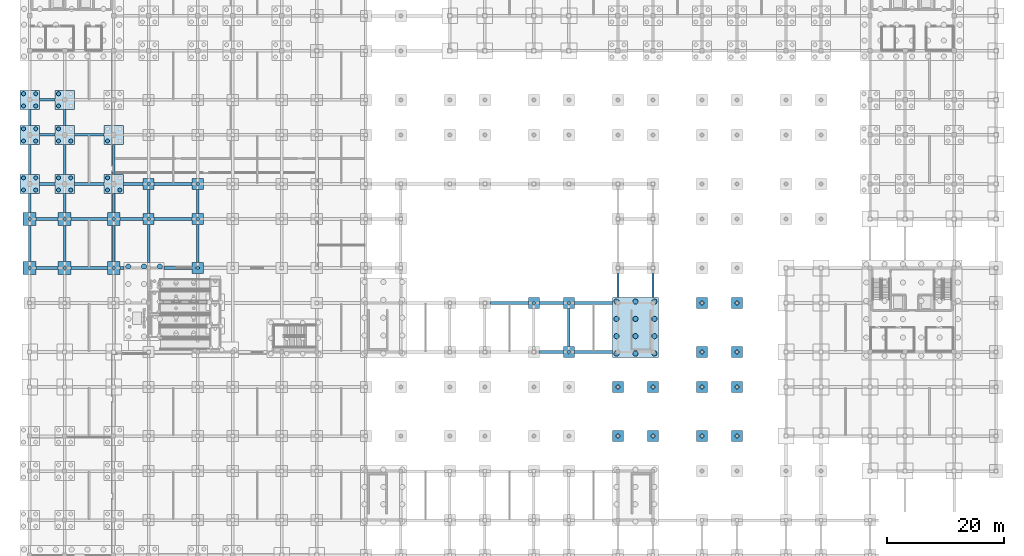
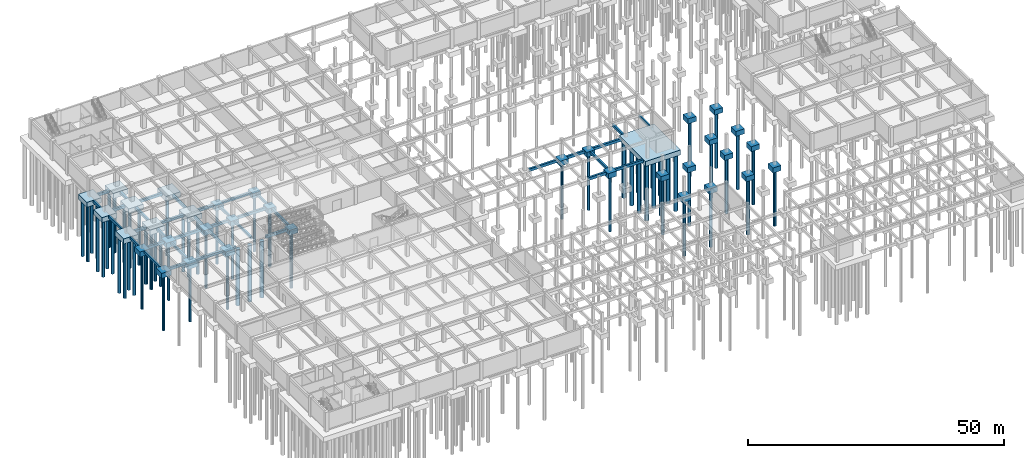
# One storey, part 6 of 40: 73 footings, 66 piles.
"""IFC4 building model written with IfcOpenShell, lengths in metres."""

from ifc_helpers import new_model, si_unit, direction, frame, origin, origin_2d, place, context, subcontext, project, spatial, rectangle, circle, extrude, material, material_profile, profile_set, type_object, element, save


model = new_model("IFC4")

# Units and contexts
model_context = context("Model", 3, precision=1e-05, world=origin(), true_north=direction((0.0, 1.0)))
body_context = subcontext(model_context, "Body", "Model", "MODEL_VIEW")
ifc_project = project(units=[si_unit("LENGTHUNIT", "METRE"), si_unit("AREAUNIT", "SQUARE_METRE"), si_unit("VOLUMEUNIT", "CUBIC_METRE"), si_unit("PLANEANGLEUNIT", "RADIAN"), si_unit("MASSUNIT", "GRAM", prefix="KILO"), si_unit("THERMODYNAMICTEMPERATUREUNIT", "KELVIN")], contexts=[model_context])

# Site, building, storey
site_placement = place(None, origin())
site = spatial("IfcSite", under=ifc_project, at=site_placement, CompositionType="ELEMENT")
building_placement = place(site_placement, origin())
building = spatial("IfcBuilding", under=site, at=building_placement, Name="Thalorik Housing Commons", CompositionType="ELEMENT")
storey_placement = place(building_placement, frame((0.0, 0.0, -4.199951171875)))
storey = spatial("IfcBuildingStorey", under=building, at=storey_placement, Name="B1", CompositionType="ELEMENT", Elevation=-4.199951171875)

# Footings
ifc_material = material(Name="Concrete C40/50", Category="concrete")
footing_type_1 = type_object("IfcFootingType", Name="STR-CAP-1900x1900", PredefinedType="PILE_CAP", material=ifc_material)
for number, where, z_axis, x_axis, name in (
    (1, (100.800048828125, 57.60009765625, -1.64990234375), (0.0, 0.0, 1.0), (1.0, 0.0, 0.0), "B1 Pile Cap 139"),
    (2, (94.800048828125, 66.0, -1.64990234375), (0.0, 0.0, 1.0), (1.0, 0.0, 0.0), "B1 Pile Cap 155"),
    (3, (100.800048828125, 66.0, -1.64990234375), (0.0, 0.0, 1.0), (1.0, 0.0, 0.0), "B1 Pile Cap 156"),
    (4, (37.199951171875, 72.0, -1.64990234375), (0.0, 0.0, 1.0), (1.0, 0.0, 0.0), "B1 Pile Cap 164"),
    (5, (28.800048828125, 80.39990234375, -1.64990234375), (0.0, 0.0, 1.0), (1.0, 0.0, 0.0), "B1 Pile Cap 179"),
    (6, (37.199951171875, 80.39990234375, -1.64990234375), (0.0, 0.0, 1.0), (1.0, 0.0, 0.0), "B1 Pile Cap 180"),
    (7, (28.800048828125, 86.39990234375, -1.64990234375), (0.0, 0.0, 1.0), (1.0, 0.0, 0.0), "B1 Pile Cap 195"),
    (8, (37.199951171875, 86.39990234375, -1.64990234375), (0.0, 0.0, 1.0), (1.0, 0.0, 0.0), "B1 Pile Cap 196"),
    (9, (109.199951171875, 43.199951171875, -1.64990234375), (0.0, 0.0, 1.0), (1.0, 0.0, 0.0), "B1 Plaza Pile Cap 24"),
    (10, (109.199951171875, 51.60009765625, -1.64990234375), (0.0, 0.0, 1.0), (1.0, 0.0, 0.0), "B1 Plaza Pile Cap 25"),
    (11, (115.199951171875, 43.199951171875, -1.64990234375), (0.0, 0.0, 1.0), (1.0, 0.0, 0.0), "B1 Plaza Pile Cap 29"),
    (12, (115.199951171875, 51.60009765625, -1.64990234375), (0.0, 0.0, 1.0), (1.0, 0.0, 0.0), "B1 Plaza Pile Cap 30"),
    (13, (123.60009765625, 43.199951171875, -1.64990234375), (0.0, 0.0, 1.0), (1.0, 0.0, 0.0), "B1 Plaza Pile Cap 34"),
    (14, (123.60009765625, 51.60009765625, -1.64990234375), (0.0, 0.0, 1.0), (1.0, 0.0, 0.0), "B1 Plaza Pile Cap 35"),
    (15, (123.60009765625, 57.60009765625, -1.64990234375), (0.0, 0.0, 1.0), (1.0, 0.0, 0.0), "B1 Plaza Pile Cap 36"),
    (16, (123.60009765625, 66.0, -1.64990234375), (0.0, 0.0, 1.0), (1.0, 0.0, 0.0), "B1 Plaza Pile Cap 37"),
    (17, (129.60009765625, 43.199951171875, -1.64990234375), (0.0, 0.0, 1.0), (1.0, 0.0, 0.0), "B1 Plaza Pile Cap 44"),
    (18, (129.60009765625, 51.60009765625, -1.64990234375), (0.0, 0.0, 1.0), (1.0, 0.0, 0.0), "B1 Plaza Pile Cap 45"),
    (19, (129.60009765625, 57.60009765625, -1.64990234375), (0.0, 0.0, 1.0), (1.0, 0.0, 0.0), "B1 Plaza Pile Cap 46"),
    (20, (129.60009765625, 66.0, -1.64990234375), (0.0, 0.0, 1.0), (1.0, 0.0, 0.0), "B1 Plaza Pile Cap 47"),
):
    element("IfcFooting", number, at=place(storey_placement, frame(where, z_axis=z_axis, x_axis=x_axis)), inside=storey, type_object=footing_type_1, Name=name, PredefinedType="PILE_CAP", context=body_context, shape_type="SweptSolid", body=[
        extrude(rectangle(XDim=1.89990234375, YDim=1.89990234375, at=origin_2d()), origin(), (0.0, 0.0, 1.0), 1.199951171875),
    ])
footing_type_2 = type_object("IfcFootingType", Name="STR-CAP-2200x2200", PredefinedType="PILE_CAP", material=ifc_material)
for number, where, z_axis, x_axis, name in (
    (21, (8.39990234375, 72.0, -1.64990234375), (0.0, 0.0, 1.0), (1.0, 0.0, 0.0), "B1 Pile Cap 160"),
    (22, (14.39990234375, 72.0, -1.64990234375), (0.0, 0.0, 1.0), (1.0, 0.0, 0.0), "B1 Pile Cap 161"),
    (23, (22.800048828125, 72.0, -1.64990234375), (0.0, 0.0, 1.0), (1.0, 0.0, 0.0), "B1 Pile Cap 162"),
    (24, (8.39990234375, 80.39990234375, -1.64990234375), (0.0, 0.0, 1.0), (1.0, 0.0, 0.0), "B1 Pile Cap 176"),
    (25, (14.39990234375, 80.39990234375, -1.64990234375), (0.0, 0.0, 1.0), (1.0, 0.0, 0.0), "B1 Pile Cap 177"),
    (26, (22.800048828125, 80.39990234375, -1.64990234375), (0.0, 0.0, 1.0), (1.0, 0.0, 0.0), "B1 Pile Cap 178"),
):
    element("IfcFooting", number, at=place(storey_placement, frame(where, z_axis=z_axis, x_axis=x_axis)), inside=storey, type_object=footing_type_2, Name=name, PredefinedType="PILE_CAP", context=body_context, shape_type="SweptSolid", body=[
        extrude(rectangle(XDim=2.199951171875, YDim=2.199951171875, at=origin_2d()), origin(), (0.0, 0.0, 1.0), 1.199951171875),
    ])
footing_type_3 = type_object("IfcFootingType", Name="STR-CAP-3300x3300", PredefinedType="PILE_CAP", material=ifc_material)
for number, where, z_axis, x_axis, name in (
    (27, (8.39990234375, 86.39990234375, -1.64990234375), (0.0, 0.0, 1.0), (1.0, 0.0, 0.0), "B1 Pile Cap 188"),
    (28, (14.39990234375, 86.39990234375, -1.64990234375), (0.0, 0.0, 1.0), (1.0, 0.0, 0.0), "B1 Pile Cap 189"),
    (29, (22.800048828125, 86.39990234375, -1.64990234375), (0.0, 0.0, 1.0), (1.0, 0.0, 0.0), "B1 Pile Cap 190"),
    (30, (8.39990234375, 94.800048828125, -1.64990234375), (0.0, 0.0, 1.0), (1.0, 0.0, 0.0), "B1 Pile Cap 208"),
    (31, (14.39990234375, 94.800048828125, -1.64990234375), (0.0, 0.0, 1.0), (1.0, 0.0, 0.0), "B1 Pile Cap 209"),
    (32, (22.800048828125, 94.800048828125, -1.64990234375), (0.0, 0.0, 1.0), (1.0, 0.0, 0.0), "B1 Pile Cap 210"),
    (33, (8.39990234375, 100.800048828125, -1.64990234375), (0.0, 0.0, 1.0), (1.0, 0.0, 0.0), "B1 Pile Cap 221"),
    (34, (14.39990234375, 100.800048828125, -1.64990234375), (0.0, 0.0, 1.0), (1.0, 0.0, 0.0), "B1 Pile Cap 222"),
):
    element("IfcFooting", number, at=place(storey_placement, frame(where, z_axis=z_axis, x_axis=x_axis)), inside=storey, type_object=footing_type_3, Name=name, PredefinedType="PILE_CAP", context=body_context, shape_type="SweptSolid", body=[
        extrude(rectangle(XDim=3.300048828125, YDim=3.300048828125, at=origin_2d()), origin(), (0.0, 0.0, 1.0), 1.199951171875),
    ])
footing_type_4 = type_object("IfcFootingType", Name="STR-CAP-7900x10300", PredefinedType="PILE_CAP", material=ifc_material)
footing_1_placement = place(storey_placement, frame((112.199951171875, 61.800048828125, -1.64990234375), z_axis=(0.0, 0.0, 1.0), x_axis=(1.0, 0.0, 0.0)))
element("IfcFooting", 35, at=footing_1_placement, inside=storey, type_object=footing_type_4, Name="B1 Pile Cap 140", PredefinedType="PILE_CAP", context=body_context, shape_type="SweptSolid", body=[
    extrude(rectangle(XDim=7.89990234375, YDim=10.300048828125, at=origin_2d()), origin(), (0.0, 0.0, 1.0), 1.199951171875),
])
ifc_material_profile_1 = material_profile(ifc_material, rectangle(XDim=0.39990234375, YDim=0.60009765625, at=origin_2d()), Name="RC 400x600", Category="concrete")
ifc_profile_set_1 = profile_set([ifc_material_profile_1], Name="Concrete C40/50")
footing_type_5 = type_object("IfcFootingType", Name="STR-GB-400", PredefinedType="FOOTING_BEAM", material=ifc_profile_set_1)
footing_2_placement = place(storey_placement, frame((8.39990234375, 73.10009765625, -0.75), z_axis=(0.0, 1.0, 0.0), x_axis=(-1.0, 0.0, 0.0)))
element("IfcFooting", 36, at=footing_2_placement, inside=storey, type_object=footing_type_5, Name="B1 Ground Tie-Beam Y 270", PredefinedType="FOOTING_BEAM", context=body_context, shape_type="SweptSolid", body=[
    extrude(rectangle(XDim=0.39990234375, YDim=0.60009765625, at=origin_2d()), origin(), (0.0, 0.0, 1.0), 6.199951171875),
])
footing_3_placement = place(storey_placement, frame((8.39990234375, 81.5, -0.75), z_axis=(0.0, 1.0, 0.0), x_axis=(-1.0, 0.0, 0.0)))
element("IfcFooting", 37, at=footing_3_placement, inside=storey, type_object=footing_type_5, Name="B1 Ground Tie-Beam Y 271", PredefinedType="FOOTING_BEAM", context=body_context, shape_type="SweptSolid", body=[
    extrude(rectangle(XDim=0.39990234375, YDim=0.60009765625, at=origin_2d()), origin(), (0.0, 0.0, 1.0), 3.25),
])
footing_4_placement = place(storey_placement, frame((8.39990234375, 88.050048828125, -0.75), z_axis=(0.0, 1.0, 0.0), x_axis=(-1.0, 0.0, 0.0)))
element("IfcFooting", 38, at=footing_4_placement, inside=storey, type_object=footing_type_5, Name="B1 Ground Tie-Beam Y 272", PredefinedType="FOOTING_BEAM", context=body_context, shape_type="SweptSolid", body=[
    extrude(rectangle(XDim=0.39990234375, YDim=0.60009765625, at=origin_2d()), origin(), (0.0, 0.0, 1.0), 5.099853515625),
])
footing_5_placement = place(storey_placement, frame((8.39990234375, 96.449951171875, -0.75), z_axis=(0.0, 1.0, 0.0), x_axis=(-1.0, 0.0, 0.0)))
element("IfcFooting", 39, at=footing_5_placement, inside=storey, type_object=footing_type_5, Name="B1 Ground Tie-Beam Y 273", PredefinedType="FOOTING_BEAM", context=body_context, shape_type="SweptSolid", body=[
    extrude(rectangle(XDim=0.39990234375, YDim=0.60009765625, at=origin_2d()), origin(), (0.0, 0.0, 1.0), 2.699951171875),
])
footing_6_placement = place(storey_placement, frame((14.39990234375, 73.10009765625, -0.75), z_axis=(0.0, 1.0, 0.0), x_axis=(-1.0, 0.0, 0.0)))
element("IfcFooting", 40, at=footing_6_placement, inside=storey, type_object=footing_type_5, Name="B1 Ground Tie-Beam Y 282", PredefinedType="FOOTING_BEAM", context=body_context, shape_type="SweptSolid", body=[
    extrude(rectangle(XDim=0.39990234375, YDim=0.60009765625, at=origin_2d()), origin(), (0.0, 0.0, 1.0), 6.199951171875),
])
footing_7_placement = place(storey_placement, frame((14.39990234375, 81.5, -0.75), z_axis=(0.0, 1.0, 0.0), x_axis=(-1.0, 0.0, 0.0)))
element("IfcFooting", 41, at=footing_7_placement, inside=storey, type_object=footing_type_5, Name="B1 Ground Tie-Beam Y 283", PredefinedType="FOOTING_BEAM", context=body_context, shape_type="SweptSolid", body=[
    extrude(rectangle(XDim=0.39990234375, YDim=0.60009765625, at=origin_2d()), origin(), (0.0, 0.0, 1.0), 3.25),
])
footing_8_placement = place(storey_placement, frame((14.39990234375, 88.050048828125, -0.75), z_axis=(0.0, 1.0, 0.0), x_axis=(-1.0, 0.0, 0.0)))
element("IfcFooting", 42, at=footing_8_placement, inside=storey, type_object=footing_type_5, Name="B1 Ground Tie-Beam Y 284", PredefinedType="FOOTING_BEAM", context=body_context, shape_type="SweptSolid", body=[
    extrude(rectangle(XDim=0.39990234375, YDim=0.60009765625, at=origin_2d()), origin(), (0.0, 0.0, 1.0), 5.099853515625),
])
footing_9_placement = place(storey_placement, frame((14.39990234375, 96.449951171875, -0.75), z_axis=(0.0, 1.0, 0.0), x_axis=(-1.0, 0.0, 0.0)))
element("IfcFooting", 43, at=footing_9_placement, inside=storey, type_object=footing_type_5, Name="B1 Ground Tie-Beam Y 285", PredefinedType="FOOTING_BEAM", context=body_context, shape_type="SweptSolid", body=[
    extrude(rectangle(XDim=0.39990234375, YDim=0.60009765625, at=origin_2d()), origin(), (0.0, 0.0, 1.0), 2.699951171875),
])
footing_10_placement = place(storey_placement, frame((22.800048828125, 73.10009765625, -0.75), z_axis=(0.0, 1.0, 0.0), x_axis=(-1.0, 0.0, 0.0)))
element("IfcFooting", 44, at=footing_10_placement, inside=storey, type_object=footing_type_5, Name="B1 Ground Tie-Beam Y 294", PredefinedType="FOOTING_BEAM", context=body_context, shape_type="SweptSolid", body=[
    extrude(rectangle(XDim=0.39990234375, YDim=0.60009765625, at=origin_2d()), origin(), (0.0, 0.0, 1.0), 6.199951171875),
])
footing_11_placement = place(storey_placement, frame((22.800048828125, 81.5, -0.75), z_axis=(0.0, 1.0, 0.0), x_axis=(-1.0, 0.0, 0.0)))
element("IfcFooting", 45, at=footing_11_placement, inside=storey, type_object=footing_type_5, Name="B1 Ground Tie-Beam Y 295", PredefinedType="FOOTING_BEAM", context=body_context, shape_type="SweptSolid", body=[
    extrude(rectangle(XDim=0.39990234375, YDim=0.60009765625, at=origin_2d()), origin(), (0.0, 0.0, 1.0), 3.25),
])
footing_12_placement = place(storey_placement, frame((22.800048828125, 88.050048828125, -0.75), z_axis=(0.0, 1.0, 0.0), x_axis=(-1.0, 0.0, 0.0)))
element("IfcFooting", 46, at=footing_12_placement, inside=storey, type_object=footing_type_5, Name="B1 Ground Tie-Beam Y 296", PredefinedType="FOOTING_BEAM", context=body_context, shape_type="SweptSolid", body=[
    extrude(rectangle(XDim=0.39990234375, YDim=0.60009765625, at=origin_2d()), origin(), (0.0, 0.0, 1.0), 5.099853515625),
])
footing_13_placement = place(storey_placement, frame((28.800048828125, 72.949951171875, -0.75), z_axis=(0.0, 1.0, 0.0), x_axis=(-1.0, 0.0, 0.0)))
element("IfcFooting", 47, at=footing_13_placement, inside=storey, type_object=footing_type_5, Name="B1 Ground Tie-Beam Y 307", PredefinedType="FOOTING_BEAM", context=body_context, shape_type="SweptSolid", body=[
    extrude(rectangle(XDim=0.39990234375, YDim=0.60009765625, at=origin_2d()), origin(), (0.0, 0.0, 1.0), 6.5),
])
footing_14_placement = place(storey_placement, frame((28.800048828125, 81.35009765625, -0.75), z_axis=(0.0, 1.0, 0.0), x_axis=(-1.0, 0.0, 0.0)))
element("IfcFooting", 48, at=footing_14_placement, inside=storey, type_object=footing_type_5, Name="B1 Ground Tie-Beam Y 308", PredefinedType="FOOTING_BEAM", context=body_context, shape_type="SweptSolid", body=[
    extrude(rectangle(XDim=0.39990234375, YDim=0.60009765625, at=origin_2d()), origin(), (0.0, 0.0, 1.0), 4.099853515625),
])
footing_15_placement = place(storey_placement, frame((37.199951171875, 72.949951171875, -0.75), z_axis=(0.0, 1.0, 0.0), x_axis=(-1.0, 0.0, 0.0)))
element("IfcFooting", 49, at=footing_15_placement, inside=storey, type_object=footing_type_5, Name="B1 Ground Tie-Beam Y 322", PredefinedType="FOOTING_BEAM", context=body_context, shape_type="SweptSolid", body=[
    extrude(rectangle(XDim=0.39990234375, YDim=0.60009765625, at=origin_2d()), origin(), (0.0, 0.0, 1.0), 6.5),
])
footing_16_placement = place(storey_placement, frame((37.199951171875, 81.35009765625, -0.75), z_axis=(0.0, 1.0, 0.0), x_axis=(-1.0, 0.0, 0.0)))
element("IfcFooting", 50, at=footing_16_placement, inside=storey, type_object=footing_type_5, Name="B1 Ground Tie-Beam Y 323", PredefinedType="FOOTING_BEAM", context=body_context, shape_type="SweptSolid", body=[
    extrude(rectangle(XDim=0.39990234375, YDim=0.60009765625, at=origin_2d()), origin(), (0.0, 0.0, 1.0), 4.099853515625),
])
footing_17_placement = place(storey_placement, frame((100.800048828125, 58.550048828125, -0.75), z_axis=(0.0, 1.0, 0.0), x_axis=(-1.0, 0.0, 0.0)))
element("IfcFooting", 51, at=footing_17_placement, inside=storey, type_object=footing_type_5, Name="B1 Ground Tie-Beam Y 420", PredefinedType="FOOTING_BEAM", context=body_context, shape_type="SweptSolid", body=[
    extrude(rectangle(XDim=0.39990234375, YDim=0.60009765625, at=origin_2d()), origin(), (0.0, 0.0, 1.0), 6.5),
])
for number, where, z_axis, x_axis, name in (
    (52, (109.199951171875, 66.949951171875, -0.75), (0.0, 1.0, 0.0), (-1.0, 0.0, 0.0), "B1 Ground Tie-Beam Y 426"),
    (53, (115.199951171875, 66.949951171875, -0.75), (0.0, 1.0, 0.0), (-1.0, 0.0, 0.0), "B1 Ground Tie-Beam Y 434"),
):
    element("IfcFooting", number, at=place(storey_placement, frame(where, z_axis=z_axis, x_axis=x_axis)), inside=storey, type_object=footing_type_5, Name=name, PredefinedType="FOOTING_BEAM", context=body_context, shape_type="SweptSolid", body=[
        extrude(rectangle(XDim=0.39990234375, YDim=0.60009765625, at=origin_2d()), origin(), (0.0, 0.0, 1.0), 4.10009765625),
    ])
ifc_material_profile_2 = material_profile(ifc_material, rectangle(XDim=0.449951171875, YDim=0.64990234375, at=origin_2d()), Name="RC 450x650", Category="concrete")
ifc_profile_set_2 = profile_set([ifc_material_profile_2], Name="Concrete C40/50")
footing_type_6 = type_object("IfcFootingType", Name="STR-GB-500", PredefinedType="FOOTING_BEAM", material=ifc_profile_set_2)
footing_18_placement = place(storey_placement, frame((95.75, 57.60009765625, -0.775146484375), z_axis=(1.0, 0.0, 0.0), x_axis=(0.0, 1.0, 0.0)))
element("IfcFooting", 54, at=footing_18_placement, inside=storey, type_object=footing_type_6, Name="B1 Ground Tie-Beam X 122", PredefinedType="FOOTING_BEAM", context=body_context, shape_type="SweptSolid", body=[
    extrude(rectangle(XDim=0.449951171875, YDim=0.64990234375, at=origin_2d()), origin(), (0.0, 0.0, 1.0), 4.10009765625),
])
for number, where, z_axis, x_axis, name in (
    (55, (101.75, 57.60009765625, -0.775146484375), (1.0, 0.0, 0.0), (0.0, 1.0, 0.0), "B1 Ground Tie-Beam X 123"),
    (56, (87.35009765625, 66.0, -0.775146484375), (1.0, 0.0, 0.0), (0.0, 1.0, 0.0), "B1 Ground Tie-Beam X 137"),
):
    element("IfcFooting", number, at=place(storey_placement, frame(where, z_axis=z_axis, x_axis=x_axis)), inside=storey, type_object=footing_type_6, Name=name, PredefinedType="FOOTING_BEAM", context=body_context, shape_type="SweptSolid", body=[
        extrude(rectangle(XDim=0.449951171875, YDim=0.64990234375, at=origin_2d()), origin(), (0.0, 0.0, 1.0), 6.5),
    ])
footing_19_placement = place(storey_placement, frame((95.75, 66.0, -0.775146484375), z_axis=(1.0, 0.0, 0.0), x_axis=(0.0, 1.0, 0.0)))
element("IfcFooting", 57, at=footing_19_placement, inside=storey, type_object=footing_type_6, Name="B1 Ground Tie-Beam X 138", PredefinedType="FOOTING_BEAM", context=body_context, shape_type="SweptSolid", body=[
    extrude(rectangle(XDim=0.449951171875, YDim=0.64990234375, at=origin_2d()), origin(), (0.0, 0.0, 1.0), 4.10009765625),
])
footing_20_placement = place(storey_placement, frame((101.75, 66.0, -0.775146484375), z_axis=(1.0, 0.0, 0.0), x_axis=(0.0, 1.0, 0.0)))
element("IfcFooting", 58, at=footing_20_placement, inside=storey, type_object=footing_type_6, Name="B1 Ground Tie-Beam X 139", PredefinedType="FOOTING_BEAM", context=body_context, shape_type="SweptSolid", body=[
    extrude(rectangle(XDim=0.449951171875, YDim=0.64990234375, at=origin_2d()), origin(), (0.0, 0.0, 1.0), 6.5),
])
footing_21_placement = place(storey_placement, frame((9.5, 72.0, -0.775146484375), z_axis=(1.0, 0.0, 0.0), x_axis=(0.0, 1.0, 0.0)))
element("IfcFooting", 59, at=footing_21_placement, inside=storey, type_object=footing_type_6, Name="B1 Ground Tie-Beam X 143", PredefinedType="FOOTING_BEAM", context=body_context, shape_type="SweptSolid", body=[
    extrude(rectangle(XDim=0.449951171875, YDim=0.64990234375, at=origin_2d()), origin(), (0.0, 0.0, 1.0), 3.800048828125),
])
footing_22_placement = place(storey_placement, frame((15.5, 72.0, -0.775146484375), z_axis=(1.0, 0.0, 0.0), x_axis=(0.0, 1.0, 0.0)))
element("IfcFooting", 60, at=footing_22_placement, inside=storey, type_object=footing_type_6, Name="B1 Ground Tie-Beam X 144", PredefinedType="FOOTING_BEAM", context=body_context, shape_type="SweptSolid", body=[
    extrude(rectangle(XDim=0.449951171875, YDim=0.64990234375, at=origin_2d()), origin(), (0.0, 0.0, 1.0), 6.199951171875),
])
footing_23_placement = place(storey_placement, frame((23.89990234375, 72.0, -0.775146484375), z_axis=(1.0, 0.0, 0.0), x_axis=(0.0, 1.0, 0.0)))
element("IfcFooting", 61, at=footing_23_placement, inside=storey, type_object=footing_type_6, Name="B1 Ground Tie-Beam X 145", PredefinedType="FOOTING_BEAM", context=body_context, shape_type="SweptSolid", body=[
    extrude(rectangle(XDim=0.449951171875, YDim=0.64990234375, at=origin_2d()), origin(), (0.0, 0.0, 1.0), 0.7001953125),
])
footing_24_placement = place(storey_placement, frame((31.39990234375, 72.0, -0.775146484375), z_axis=(1.0, 0.0, 0.0), x_axis=(0.0, 1.0, 0.0)))
element("IfcFooting", 62, at=footing_24_placement, inside=storey, type_object=footing_type_6, Name="B1 Ground Tie-Beam X 146", PredefinedType="FOOTING_BEAM", context=body_context, shape_type="SweptSolid", body=[
    extrude(rectangle(XDim=0.449951171875, YDim=0.64990234375, at=origin_2d()), origin(), (0.0, 0.0, 1.0), 4.85009765625),
])
footing_25_placement = place(storey_placement, frame((9.5, 80.39990234375, -0.775146484375), z_axis=(1.0, 0.0, 0.0), x_axis=(0.0, 1.0, 0.0)))
element("IfcFooting", 63, at=footing_25_placement, inside=storey, type_object=footing_type_6, Name="B1 Ground Tie-Beam X 156", PredefinedType="FOOTING_BEAM", context=body_context, shape_type="SweptSolid", body=[
    extrude(rectangle(XDim=0.449951171875, YDim=0.64990234375, at=origin_2d()), origin(), (0.0, 0.0, 1.0), 3.800048828125),
])
footing_26_placement = place(storey_placement, frame((15.5, 80.39990234375, -0.775146484375), z_axis=(1.0, 0.0, 0.0), x_axis=(0.0, 1.0, 0.0)))
element("IfcFooting", 64, at=footing_26_placement, inside=storey, type_object=footing_type_6, Name="B1 Ground Tie-Beam X 157", PredefinedType="FOOTING_BEAM", context=body_context, shape_type="SweptSolid", body=[
    extrude(rectangle(XDim=0.449951171875, YDim=0.64990234375, at=origin_2d()), origin(), (0.0, 0.0, 1.0), 6.199951171875),
])
footing_27_placement = place(storey_placement, frame((23.89990234375, 80.39990234375, -0.775146484375), z_axis=(1.0, 0.0, 0.0), x_axis=(0.0, 1.0, 0.0)))
element("IfcFooting", 65, at=footing_27_placement, inside=storey, type_object=footing_type_6, Name="B1 Ground Tie-Beam X 158", PredefinedType="FOOTING_BEAM", context=body_context, shape_type="SweptSolid", body=[
    extrude(rectangle(XDim=0.449951171875, YDim=0.64990234375, at=origin_2d()), origin(), (0.0, 0.0, 1.0), 3.9501953125),
])
footing_28_placement = place(storey_placement, frame((29.75, 80.39990234375, -0.775146484375), z_axis=(1.0, 0.0, 0.0), x_axis=(0.0, 1.0, 0.0)))
element("IfcFooting", 66, at=footing_28_placement, inside=storey, type_object=footing_type_6, Name="B1 Ground Tie-Beam X 159", PredefinedType="FOOTING_BEAM", context=body_context, shape_type="SweptSolid", body=[
    extrude(rectangle(XDim=0.449951171875, YDim=0.64990234375, at=origin_2d()), origin(), (0.0, 0.0, 1.0), 6.5),
])
footing_29_placement = place(storey_placement, frame((10.050048828125, 86.39990234375, -0.775146484375), z_axis=(1.0, 0.0, 0.0), x_axis=(0.0, 1.0, 0.0)))
element("IfcFooting", 67, at=footing_29_placement, inside=storey, type_object=footing_type_6, Name="B1 Ground Tie-Beam X 169", PredefinedType="FOOTING_BEAM", context=body_context, shape_type="SweptSolid", body=[
    extrude(rectangle(XDim=0.449951171875, YDim=0.64990234375, at=origin_2d()), origin(), (0.0, 0.0, 1.0), 2.699951171875),
])
footing_30_placement = place(storey_placement, frame((16.050048828125, 86.39990234375, -0.775146484375), z_axis=(1.0, 0.0, 0.0), x_axis=(0.0, 1.0, 0.0)))
element("IfcFooting", 68, at=footing_30_placement, inside=storey, type_object=footing_type_6, Name="B1 Ground Tie-Beam X 170", PredefinedType="FOOTING_BEAM", context=body_context, shape_type="SweptSolid", body=[
    extrude(rectangle(XDim=0.449951171875, YDim=0.64990234375, at=origin_2d()), origin(), (0.0, 0.0, 1.0), 5.099853515625),
])
footing_31_placement = place(storey_placement, frame((24.449951171875, 86.39990234375, -0.775146484375), z_axis=(1.0, 0.0, 0.0), x_axis=(0.0, 1.0, 0.0)))
element("IfcFooting", 69, at=footing_31_placement, inside=storey, type_object=footing_type_6, Name="B1 Ground Tie-Beam X 171", PredefinedType="FOOTING_BEAM", context=body_context, shape_type="SweptSolid", body=[
    extrude(rectangle(XDim=0.449951171875, YDim=0.64990234375, at=origin_2d()), origin(), (0.0, 0.0, 1.0), 3.400146484375),
])
footing_32_placement = place(storey_placement, frame((29.75, 86.39990234375, -0.775146484375), z_axis=(1.0, 0.0, 0.0), x_axis=(0.0, 1.0, 0.0)))
element("IfcFooting", 70, at=footing_32_placement, inside=storey, type_object=footing_type_6, Name="B1 Ground Tie-Beam X 172", PredefinedType="FOOTING_BEAM", context=body_context, shape_type="SweptSolid", body=[
    extrude(rectangle(XDim=0.449951171875, YDim=0.64990234375, at=origin_2d()), origin(), (0.0, 0.0, 1.0), 6.5),
])
footing_33_placement = place(storey_placement, frame((10.050048828125, 94.800048828125, -0.775146484375), z_axis=(1.0, 0.0, 0.0), x_axis=(0.0, 1.0, 0.0)))
element("IfcFooting", 71, at=footing_33_placement, inside=storey, type_object=footing_type_6, Name="B1 Ground Tie-Beam X 187", PredefinedType="FOOTING_BEAM", context=body_context, shape_type="SweptSolid", body=[
    extrude(rectangle(XDim=0.449951171875, YDim=0.64990234375, at=origin_2d()), origin(), (0.0, 0.0, 1.0), 2.699951171875),
])
footing_34_placement = place(storey_placement, frame((16.050048828125, 94.800048828125, -0.775146484375), z_axis=(1.0, 0.0, 0.0), x_axis=(0.0, 1.0, 0.0)))
element("IfcFooting", 72, at=footing_34_placement, inside=storey, type_object=footing_type_6, Name="B1 Ground Tie-Beam X 188", PredefinedType="FOOTING_BEAM", context=body_context, shape_type="SweptSolid", body=[
    extrude(rectangle(XDim=0.449951171875, YDim=0.64990234375, at=origin_2d()), origin(), (0.0, 0.0, 1.0), 5.099853515625),
])
footing_35_placement = place(storey_placement, frame((10.050048828125, 100.800048828125, -0.775146484375), z_axis=(1.0, 0.0, 0.0), x_axis=(0.0, 1.0, 0.0)))
element("IfcFooting", 73, at=footing_35_placement, inside=storey, type_object=footing_type_6, Name="B1 Ground Tie-Beam X 198", PredefinedType="FOOTING_BEAM", context=body_context, shape_type="SweptSolid", body=[
    extrude(rectangle(XDim=0.449951171875, YDim=0.64990234375, at=origin_2d()), origin(), (0.0, 0.0, 1.0), 2.699951171875),
])

# Piles
ifc_material_profile_3 = material_profile(ifc_material, circle(Radius=0.300048828125, at=origin_2d()), Name="BORED PILE D600", Category="concrete")
ifc_profile_set_3 = profile_set([ifc_material_profile_3], Name="Concrete C40/50")
pile_type_1 = type_object("IfcPileType", Name="STR-PILE-D600", PredefinedType="BORED", material=ifc_profile_set_3)
for number, where, z_axis, x_axis, name in (
    (74, (100.800048828125, 57.60009765625, -1.550048828125), (0.0, 0.0, -1.0), (1.0, 0.0, 0.0), "B1 Bored Pile 343"),
    (75, (94.800048828125, 66.0, -1.550048828125), (0.0, 0.0, -1.0), (1.0, 0.0, 0.0), "B1 Bored Pile 392"),
    (76, (100.800048828125, 66.0, -1.550048828125), (0.0, 0.0, -1.0), (1.0, 0.0, 0.0), "B1 Bored Pile 393"),
    (77, (8.39990234375, 72.0, -1.550048828125), (0.0, 0.0, -1.0), (1.0, 0.0, 0.0), "B1 Bored Pile 397"),
    (78, (14.39990234375, 72.0, -1.550048828125), (0.0, 0.0, -1.0), (1.0, 0.0, 0.0), "B1 Bored Pile 398"),
    (79, (22.800048828125, 72.0, -1.550048828125), (0.0, 0.0, -1.0), (1.0, 0.0, 0.0), "B1 Bored Pile 399"),
    (80, (37.199951171875, 72.0, -1.550048828125), (0.0, 0.0, -1.0), (1.0, 0.0, 0.0), "B1 Bored Pile 401"),
    (81, (8.39990234375, 80.39990234375, -1.550048828125), (0.0, 0.0, -1.0), (1.0, 0.0, 0.0), "B1 Bored Pile 413"),
    (82, (14.39990234375, 80.39990234375, -1.550048828125), (0.0, 0.0, -1.0), (1.0, 0.0, 0.0), "B1 Bored Pile 414"),
    (83, (22.800048828125, 80.39990234375, -1.550048828125), (0.0, 0.0, -1.0), (1.0, 0.0, 0.0), "B1 Bored Pile 415"),
    (84, (28.800048828125, 80.39990234375, -1.550048828125), (0.0, 0.0, -1.0), (1.0, 0.0, 0.0), "B1 Bored Pile 416"),
    (85, (37.199951171875, 80.39990234375, -1.550048828125), (0.0, 0.0, -1.0), (1.0, 0.0, 0.0), "B1 Bored Pile 417"),
    (86, (28.800048828125, 86.39990234375, -1.550048828125), (0.0, 0.0, -1.0), (1.0, 0.0, 0.0), "B1 Bored Pile 450"),
    (87, (37.199951171875, 86.39990234375, -1.550048828125), (0.0, 0.0, -1.0), (1.0, 0.0, 0.0), "B1 Bored Pile 451"),
):
    element("IfcPile", number, at=place(storey_placement, frame(where, z_axis=z_axis, x_axis=x_axis)), inside=storey, type_object=pile_type_1, Name=name, PredefinedType="BORED", context=body_context, shape_type="SweptSolid", body=[
        extrude(circle(Radius=0.300048828125, at=origin_2d()), origin(), (0.0, 0.0, 1.0), 13.449951171875),
    ])
ifc_material_profile_4 = material_profile(ifc_material, circle(Radius=0.35009765625, at=origin_2d()), Name="BORED PILE D700", Category="concrete")
ifc_profile_set_4 = profile_set([ifc_material_profile_4], Name="Concrete C40/50")
pile_type_2 = type_object("IfcPileType", Name="STR-PILE-D700", PredefinedType="BORED", material=ifc_profile_set_4)
for number, where, z_axis, x_axis, name in (
    (88, (7.35009765625, 85.35009765625, -1.550048828125), (0.0, 0.0, -1.0), (1.0, 0.0, 0.0), "B1 Bored Pile 425"),
    (89, (7.35009765625, 87.449951171875, -1.550048828125), (0.0, 0.0, -1.0), (1.0, 0.0, 0.0), "B1 Bored Pile 426"),
    (90, (9.449951171875, 85.35009765625, -1.550048828125), (0.0, 0.0, -1.0), (1.0, 0.0, 0.0), "B1 Bored Pile 427"),
    (91, (9.449951171875, 87.449951171875, -1.550048828125), (0.0, 0.0, -1.0), (1.0, 0.0, 0.0), "B1 Bored Pile 428"),
    (92, (13.35009765625, 85.35009765625, -1.550048828125), (0.0, 0.0, -1.0), (1.0, 0.0, 0.0), "B1 Bored Pile 429"),
    (93, (13.35009765625, 87.449951171875, -1.550048828125), (0.0, 0.0, -1.0), (1.0, 0.0, 0.0), "B1 Bored Pile 430"),
    (94, (15.449951171875, 85.35009765625, -1.550048828125), (0.0, 0.0, -1.0), (1.0, 0.0, 0.0), "B1 Bored Pile 431"),
    (95, (15.449951171875, 87.449951171875, -1.550048828125), (0.0, 0.0, -1.0), (1.0, 0.0, 0.0), "B1 Bored Pile 432"),
    (96, (21.75, 85.35009765625, -1.550048828125), (0.0, 0.0, -1.0), (1.0, 0.0, 0.0), "B1 Bored Pile 433"),
    (97, (21.75, 87.449951171875, -1.550048828125), (0.0, 0.0, -1.0), (1.0, 0.0, 0.0), "B1 Bored Pile 434"),
    (98, (23.85009765625, 85.35009765625, -1.550048828125), (0.0, 0.0, -1.0), (1.0, 0.0, 0.0), "B1 Bored Pile 435"),
    (99, (7.35009765625, 93.75, -1.550048828125), (0.0, 0.0, -1.0), (1.0, 0.0, 0.0), "B1 Bored Pile 463"),
    (100, (7.35009765625, 95.85009765625, -1.550048828125), (0.0, 0.0, -1.0), (1.0, 0.0, 0.0), "B1 Bored Pile 464"),
    (101, (9.449951171875, 93.75, -1.550048828125), (0.0, 0.0, -1.0), (1.0, 0.0, 0.0), "B1 Bored Pile 465"),
    (102, (9.449951171875, 95.85009765625, -1.550048828125), (0.0, 0.0, -1.0), (1.0, 0.0, 0.0), "B1 Bored Pile 466"),
    (103, (13.35009765625, 93.75, -1.550048828125), (0.0, 0.0, -1.0), (1.0, 0.0, 0.0), "B1 Bored Pile 467"),
    (104, (13.35009765625, 95.85009765625, -1.550048828125), (0.0, 0.0, -1.0), (1.0, 0.0, 0.0), "B1 Bored Pile 468"),
    (105, (15.449951171875, 93.75, -1.550048828125), (0.0, 0.0, -1.0), (1.0, 0.0, 0.0), "B1 Bored Pile 469"),
    (106, (21.75, 93.75, -1.550048828125), (0.0, 0.0, -1.0), (1.0, 0.0, 0.0), "B1 Bored Pile 471"),
    (107, (7.35009765625, 99.75, -1.550048828125), (0.0, 0.0, -1.0), (1.0, 0.0, 0.0), "B1 Bored Pile 494"),
    (108, (7.35009765625, 101.85009765625, -1.550048828125), (0.0, 0.0, -1.0), (1.0, 0.0, 0.0), "B1 Bored Pile 495"),
    (109, (9.449951171875, 99.75, -1.550048828125), (0.0, 0.0, -1.0), (1.0, 0.0, 0.0), "B1 Bored Pile 496"),
    (110, (9.449951171875, 101.85009765625, -1.550048828125), (0.0, 0.0, -1.0), (1.0, 0.0, 0.0), "B1 Bored Pile 497"),
    (111, (13.35009765625, 99.75, -1.550048828125), (0.0, 0.0, -1.0), (1.0, 0.0, 0.0), "B1 Bored Pile 498"),
    (112, (13.35009765625, 101.85009765625, -1.550048828125), (0.0, 0.0, -1.0), (1.0, 0.0, 0.0), "B1 Bored Pile 499"),
    (113, (109.199951171875, 43.199951171875, -1.550048828125), (0.0, 0.0, -1.0), (1.0, 0.0, 0.0), "B1 Plaza Bored Pile 24"),
    (114, (109.199951171875, 51.60009765625, -1.550048828125), (0.0, 0.0, -1.0), (1.0, 0.0, 0.0), "B1 Plaza Bored Pile 25"),
    (115, (115.199951171875, 43.199951171875, -1.550048828125), (0.0, 0.0, -1.0), (1.0, 0.0, 0.0), "B1 Plaza Bored Pile 29"),
    (116, (115.199951171875, 51.60009765625, -1.550048828125), (0.0, 0.0, -1.0), (1.0, 0.0, 0.0), "B1 Plaza Bored Pile 30"),
    (117, (123.60009765625, 43.199951171875, -1.550048828125), (0.0, 0.0, -1.0), (1.0, 0.0, 0.0), "B1 Plaza Bored Pile 34"),
    (118, (123.60009765625, 51.60009765625, -1.550048828125), (0.0, 0.0, -1.0), (1.0, 0.0, 0.0), "B1 Plaza Bored Pile 35"),
    (119, (123.60009765625, 57.60009765625, -1.550048828125), (0.0, 0.0, -1.0), (1.0, 0.0, 0.0), "B1 Plaza Bored Pile 36"),
    (120, (123.60009765625, 66.0, -1.550048828125), (0.0, 0.0, -1.0), (1.0, 0.0, 0.0), "B1 Plaza Bored Pile 37"),
    (121, (129.60009765625, 43.199951171875, -1.550048828125), (0.0, 0.0, -1.0), (1.0, 0.0, 0.0), "B1 Plaza Bored Pile 44"),
    (122, (129.60009765625, 51.60009765625, -1.550048828125), (0.0, 0.0, -1.0), (1.0, 0.0, 0.0), "B1 Plaza Bored Pile 45"),
    (123, (129.60009765625, 57.60009765625, -1.550048828125), (0.0, 0.0, -1.0), (1.0, 0.0, 0.0), "B1 Plaza Bored Pile 46"),
    (124, (129.60009765625, 66.0, -1.550048828125), (0.0, 0.0, -1.0), (1.0, 0.0, 0.0), "B1 Plaza Bored Pile 47"),
):
    element("IfcPile", number, at=place(storey_placement, frame(where, z_axis=z_axis, x_axis=x_axis)), inside=storey, type_object=pile_type_2, Name=name, PredefinedType="BORED", context=body_context, shape_type="SweptSolid", body=[
        extrude(circle(Radius=0.35009765625, at=origin_2d()), origin(), (0.0, 0.0, 1.0), 13.449951171875),
    ])
ifc_material_profile_5 = material_profile(ifc_material, circle(Radius=0.449951171875, at=origin_2d()), Name="BORED PILE D900", Category="concrete")
ifc_profile_set_5 = profile_set([ifc_material_profile_5], Name="Concrete C40/50")
pile_type_3 = type_object("IfcPileType", Name="STR-PILE-D900", PredefinedType="BORED", material=ifc_profile_set_5)
for number, where, z_axis, x_axis, name in (
    (125, (108.949951171875, 57.35009765625, -1.550048828125), (0.0, 0.0, -1.0), (1.0, 0.0, 0.0), "B1 Bored Pile 344"),
    (126, (108.949951171875, 60.316650390625, -1.550048828125), (0.0, 0.0, -1.0), (1.0, 0.0, 0.0), "B1 Bored Pile 345"),
    (127, (108.949951171875, 63.283203125, -1.550048828125), (0.0, 0.0, -1.0), (1.0, 0.0, 0.0), "B1 Bored Pile 346"),
    (128, (108.949951171875, 66.25, -1.550048828125), (0.0, 0.0, -1.0), (1.0, 0.0, 0.0), "B1 Bored Pile 347"),
    (129, (112.199951171875, 57.35009765625, -1.550048828125), (0.0, 0.0, -1.0), (1.0, 0.0, 0.0), "B1 Bored Pile 348"),
    (130, (112.199951171875, 60.316650390625, -1.550048828125), (0.0, 0.0, -1.0), (1.0, 0.0, 0.0), "B1 Bored Pile 349"),
    (131, (112.199951171875, 63.283203125, -1.550048828125), (0.0, 0.0, -1.0), (1.0, 0.0, 0.0), "B1 Bored Pile 350"),
    (132, (112.199951171875, 66.25, -1.550048828125), (0.0, 0.0, -1.0), (1.0, 0.0, 0.0), "B1 Bored Pile 351"),
    (133, (115.449951171875, 57.35009765625, -1.550048828125), (0.0, 0.0, -1.0), (1.0, 0.0, 0.0), "B1 Bored Pile 352"),
    (134, (115.449951171875, 60.316650390625, -1.550048828125), (0.0, 0.0, -1.0), (1.0, 0.0, 0.0), "B1 Bored Pile 353"),
    (135, (115.449951171875, 63.283203125, -1.550048828125), (0.0, 0.0, -1.0), (1.0, 0.0, 0.0), "B1 Bored Pile 354"),
    (136, (115.449951171875, 66.25, -1.550048828125), (0.0, 0.0, -1.0), (1.0, 0.0, 0.0), "B1 Bored Pile 355"),
    (137, (25.300048828125, 72.25, -1.550048828125), (0.0, 0.0, -1.0), (1.0, 0.0, 0.0), "B1 Bored Pile 360"),
    (138, (28.0, 72.25, -1.550048828125), (0.0, 0.0, -1.0), (1.0, 0.0, 0.0), "B1 Bored Pile 365"),
    (139, (30.699951171875, 72.25, -1.550048828125), (0.0, 0.0, -1.0), (1.0, 0.0, 0.0), "B1 Bored Pile 370"),
):
    element("IfcPile", number, at=place(storey_placement, frame(where, z_axis=z_axis, x_axis=x_axis)), inside=storey, type_object=pile_type_3, Name=name, PredefinedType="BORED", context=body_context, shape_type="SweptSolid", body=[
        extrude(circle(Radius=0.449951171875, at=origin_2d()), origin(), (0.0, 0.0, 1.0), 13.449951171875),
    ])

save(model, "model.ifc")
